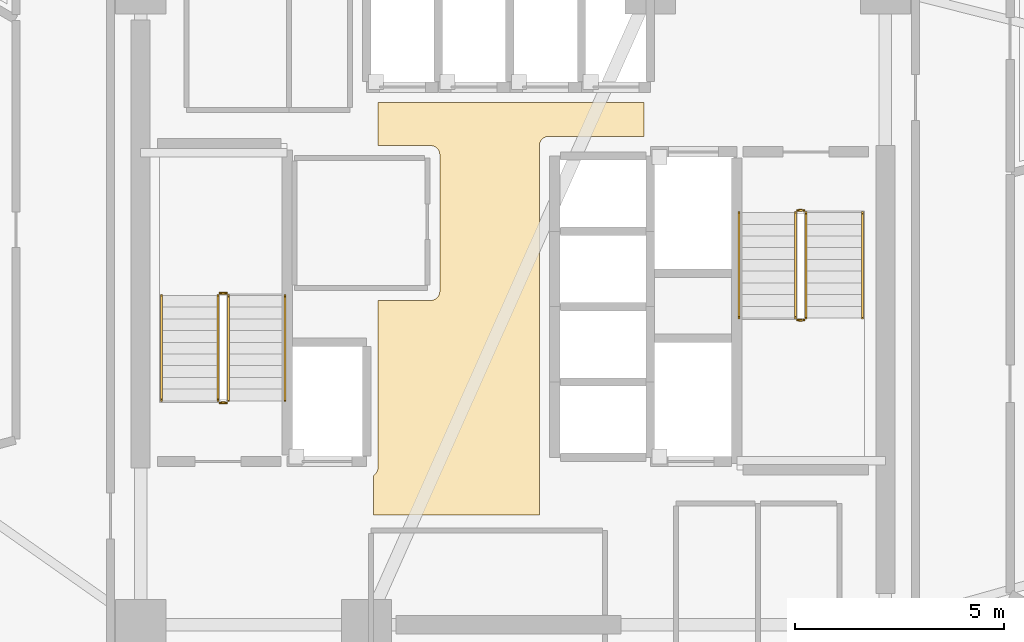
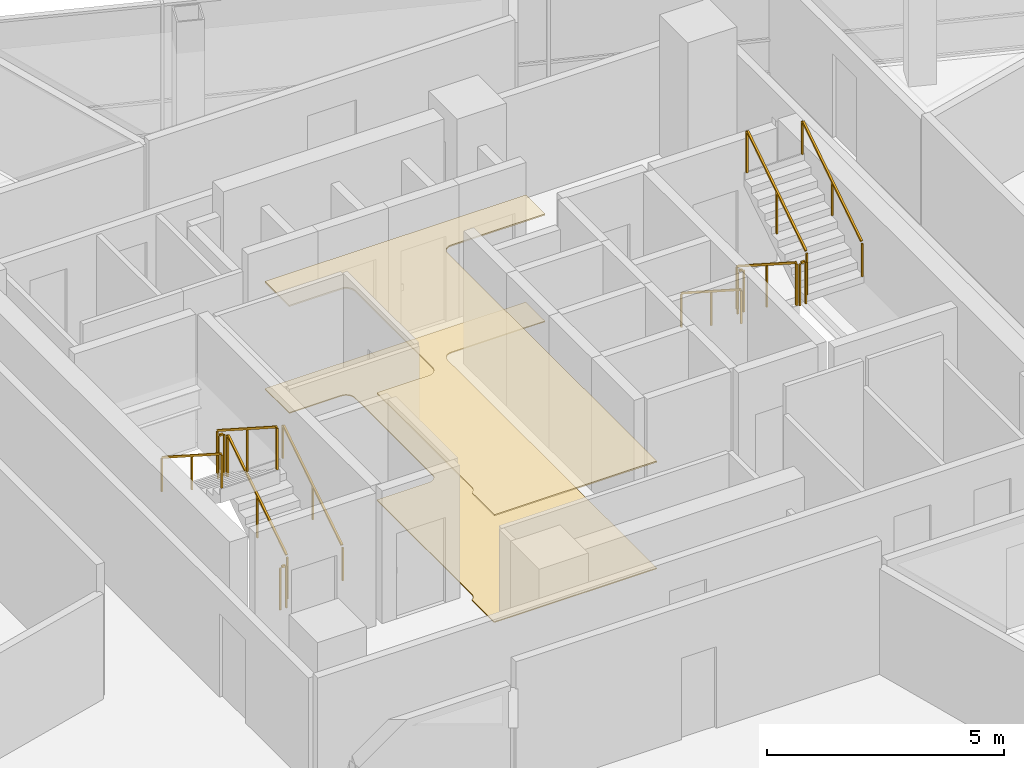
# One storey, part 14 of 15: 12 railings, 2 coverings.
"""IFC4 building model written with IfcOpenShell, lengths in metres."""

import ifcopenshell
import ifcopenshell.guid

model = None  # the IFC model being written
_history = None  # IfcOwnerHistory: only IFC2X3 demands one
_inside = {}  # id of a spatial element -> (the spatial element, [elements in it])
_under = {}  # id of a project, library or spatial element -> (it, [spatial elements below it])
_declared = {}  # id of a project -> (the project, [libraries it declares])
_typed = {}  # id of a type object -> (the type object, [elements of that type])
_made_of = {}  # id of a material, layer set ... -> (it, [elements and type objects made of it])


def new_model(schema):
    """Start an empty IFC model of exactly this schema.

    Asked for "IFC4X3", IfcOpenShell would pick the latest addendum, in which some entities
    have other attributes; the version numbers below select the first issue.
    IFC2X3 requires an IfcOwnerHistory on every rooted entity: one is made here for all.
    """
    global model, _history
    if schema == "IFC4X3":
        model = ifcopenshell.file(schema_version=(4, 3, 0, 0))
    else:
        model = ifcopenshell.file(schema=schema)
    _inside.clear()
    _under.clear()
    _declared.clear()
    _typed.clear()
    _made_of.clear()
    _history = None
    if model.schema == "IFC2X3":
        org = make("IfcOrganization", Name="unknown")
        user = make(
            "IfcPersonAndOrganization",
            ThePerson=make("IfcPerson", FamilyName="unknown"),
            TheOrganization=org,
        )
        app = make(
            "IfcApplication",
            ApplicationDeveloper=org,
            Version="unknown",
            ApplicationFullName="unknown",
            ApplicationIdentifier="unknown",
        )
        _history = make(
            "IfcOwnerHistory",
            OwningUser=user,
            OwningApplication=app,
            ChangeAction="ADDED",
            CreationDate=0,
        )
    return model


def make(cls, **values):
    """One entity of the class cls with the attributes given. An attribute that is None is left unset."""
    return model.create_entity(
        cls, **{name: value for name, value in values.items() if value is not None}
    )


def rooted(cls, **values):
    """An entity with a GlobalId (a new one), such as an element, a storey or a relation."""
    return make(cls, GlobalId=ifcopenshell.guid.new(), OwnerHistory=_history, **values)


def si_unit(unit_type, name, prefix=None):
    """IfcSIUnit, for example si_unit("LENGTHUNIT", "METRE", prefix="MILLI")."""
    return make("IfcSIUnit", UnitType=unit_type, Prefix=prefix, Name=name)


def assignment(units):
    """IfcUnitAssignment: the units of a project."""
    return None if units is None else make("IfcUnitAssignment", Units=units)


def point(xyz):
    """IfcCartesianPoint."""
    return None if xyz is None else make("IfcCartesianPoint", Coordinates=xyz)


def direction(xyz):
    """IfcDirection."""
    return None if xyz is None else make("IfcDirection", DirectionRatios=xyz)


def frame(location, z_axis=None, x_axis=None):
    """IfcAxis2Placement3D, a coordinate frame: its origin and axes. An axis left out is left unset."""
    return make(
        "IfcAxis2Placement3D",
        Location=point(location),
        Axis=direction(z_axis),
        RefDirection=direction(x_axis),
    )


def frame_2d(location, x_axis=None):
    """IfcAxis2Placement2D, a coordinate frame in the plane: its origin and x axis."""
    return make(
        "IfcAxis2Placement2D", Location=point(location), RefDirection=direction(x_axis)
    )


def origin():
    """The frame at (0, 0, 0) with its axes left unset."""
    return frame((0.0, 0.0, 0.0))


def origin_2d():
    """The frame at (0, 0) in the plane with its x axis left unset."""
    return frame_2d((0.0, 0.0))


def place(relative_to, where):
    """IfcLocalPlacement: puts the frame where relative to a parent placement (None: the world)."""
    return make(
        "IfcLocalPlacement", PlacementRelTo=relative_to, RelativePlacement=where
    )


def context(
    kind, dimensions, precision=None, world=None, true_north=None, identifier=None
):
    """IfcGeometricRepresentationContext, for example the 3D "Model" context."""
    return make(
        "IfcGeometricRepresentationContext",
        ContextIdentifier=identifier,
        ContextType=kind,
        CoordinateSpaceDimension=dimensions,
        Precision=precision,
        WorldCoordinateSystem=world,
        TrueNorth=true_north,
    )


def subcontext(parent, identifier, kind, view, scale=None):
    """IfcGeometricRepresentationSubContext, for example "Body" below "Model"."""
    return make(
        "IfcGeometricRepresentationSubContext",
        ContextIdentifier=identifier,
        ContextType=kind,
        ParentContext=parent,
        TargetScale=scale,
        TargetView=view,
    )


def project(units=None, contexts=None):
    """IfcProject with its units and contexts."""
    return rooted(
        "IfcProject",
        Name="project",
        RepresentationContexts=contexts,
        UnitsInContext=assignment(units),
    )


def spatial(cls, under=None, at=None, **own):
    """A site, building, storey or space (cls), placed at a placement, below another one or the project."""
    s = rooted(cls, ObjectPlacement=at, **own)
    if under is not None:
        _under.setdefault(under.id(), (under, []))[1].append(s)
    return s


def polyline(points):
    """IfcPolyline through the points."""
    return make("IfcPolyline", Points=[point(p) for p in points])


def profile(cls, at=None, kind="AREA", **sizes):
    """A parametric profile (cls). Its sizes go by their IFC names, for example OverallWidth=200.0."""
    return make(cls, ProfileType=kind, Position=at, **sizes)


def rectangle(**sizes):
    """IfcRectangleProfileDef."""
    return profile("IfcRectangleProfileDef", **sizes)


def outline(outer, holes=None, kind="AREA"):
    """IfcArbitraryClosedProfileDef: a profile drawn as a closed curve; with holes, ...WithVoids."""
    if holes is None:
        return make("IfcArbitraryClosedProfileDef", ProfileType=kind, OuterCurve=outer)
    return make(
        "IfcArbitraryProfileDefWithVoids",
        ProfileType=kind,
        OuterCurve=outer,
        InnerCurves=holes,
    )


def extrude(swept, where, along, depth):
    """IfcExtrudedAreaSolid: the profile swept, set in the frame where, extruded along a direction by depth."""
    return make(
        "IfcExtrudedAreaSolid",
        SweptArea=swept,
        Position=where,
        ExtrudedDirection=direction(along),
        Depth=depth,
    )


def shape(context_of_items, identifier, shape_type, items):
    """IfcShapeRepresentation: the items that make up one representation, for example the "Body"."""
    return make(
        "IfcShapeRepresentation",
        ContextOfItems=context_of_items,
        RepresentationIdentifier=identifier,
        RepresentationType=shape_type,
        Items=items,
    )


def material(Name=None, Category=None):
    """IfcMaterial."""
    return make("IfcMaterial", Name=Name, Category=Category)


def layer(
    of_material, thickness, ventilated=None, Name=None, Category=None, Priority=None
):
    """IfcMaterialLayer: one layer of a wall or slab, of a material (None: an air gap)."""
    return make(
        "IfcMaterialLayer",
        Material=of_material,
        LayerThickness=thickness,
        IsVentilated=ventilated,
        Name=Name,
        Category=Category,
        Priority=Priority,
    )


def layer_set(layers, Name=None):
    """IfcMaterialLayerSet."""
    return make("IfcMaterialLayerSet", MaterialLayers=layers, LayerSetName=Name)


def made_of(thing, what):
    """Note that an element or type object is made of a material, layer set ...; save() writes the relation."""
    if what is not None:
        _made_of.setdefault(what.id(), (what, []))[1].append(thing)
    return thing


def type_object(cls, material=None, **own):
    """A type object (cls), such as IfcWallType, which elements share."""
    return made_of(rooted(cls, **own), material)


def element(
    cls,
    number,
    at=None,
    inside=None,
    cuts=None,
    type_object=None,
    material=None,
    context=None,
    identifier="Body",
    shape_type=None,
    held_by="IfcProductDefinitionShape",
    body=None,
    shapes=None,
    **own,
):
    """One element of the class cls, such as IfcWall. Its Tag is "e" and its number.

    at: its placement. inside: the storey or other place that contains it. cuts: it is an
    opening in that element (IfcRelVoidsElement). A single representation is given by context,
    identifier, shape_type and body (its items); several are given by shapes. held_by: the class
    of the entity that holds the representations. save() writes the other relations.
    """
    e = rooted(cls, Tag="e%d" % number, ObjectPlacement=at, **own)
    if body is not None:
        shapes = [shape(context, identifier, shape_type, body)]
    if shapes is not None:
        e.Representation = make(held_by, Representations=shapes)
    if inside is not None:
        _inside.setdefault(inside.id(), (inside, []))[1].append(e)
    if cuts is not None:
        rooted(
            "IfcRelVoidsElement", RelatingBuildingElement=cuts, RelatedOpeningElement=e
        )
    if type_object is not None:
        _typed.setdefault(type_object.id(), (type_object, []))[1].append(e)
    return made_of(e, material)


def aggregate(whole, parts):
    """IfcRelAggregates: a whole, such as a stair, and the parts it consists of."""
    return rooted("IfcRelAggregates", RelatingObject=whole, RelatedObjects=parts)


def save(model, path):
    """Write the relations noted so far, then the file.

    IfcRelAggregates (storeys below a building ...), IfcRelContainedInSpatialStructure (elements
    in a storey), IfcRelDefinesByType, IfcRelAssociatesMaterial and IfcRelDeclares: one each for
    every whole, place, type object, material and project.
    """
    for whole, parts in _under.values():
        aggregate(whole, parts)
    for where, things in _inside.values():
        rooted(
            "IfcRelContainedInSpatialStructure",
            RelatedElements=things,
            RelatingStructure=where,
        )
    for kind, things in _typed.values():
        rooted("IfcRelDefinesByType", RelatedObjects=things, RelatingType=kind)
    for what, things in _made_of.values():
        rooted("IfcRelAssociatesMaterial", RelatedObjects=things, RelatingMaterial=what)
    for by, libraries in _declared.values():
        rooted("IfcRelDeclares", RelatingContext=by, RelatedDefinitions=libraries)
    model.write(path)


model = new_model("IFC4")

# Units and contexts
model_context = context("Model", 3, precision=1e-05, world=origin(), true_north=direction((0.0, 1.0)))
body_context = subcontext(model_context, "Body", "Model", "MODEL_VIEW")
ifc_project = project(units=[si_unit("LENGTHUNIT", "METRE"), si_unit("AREAUNIT", "SQUARE_METRE"), si_unit("VOLUMEUNIT", "CUBIC_METRE"), si_unit("PLANEANGLEUNIT", "RADIAN"), si_unit("MASSUNIT", "GRAM", prefix="KILO")], contexts=[model_context])

# Site, building, storey
site_placement = place(None, origin())
site = spatial("IfcSite", under=ifc_project, at=site_placement, CompositionType="ELEMENT")
building_placement = place(site_placement, origin())
building = spatial("IfcBuilding", under=site, at=building_placement, Name="Tharavind Bronze Gate", CompositionType="ELEMENT")
storey_placement = place(building_placement, frame((0.0, 0.0, 177.699951171875)))
storey = spatial("IfcBuildingStorey", under=building, at=storey_placement, Name="L45", CompositionType="ELEMENT", Elevation=177.699951171875)

# Coverings
ifc_material_1 = material(Name="Perforated Bronze Acoustic Panel", Category="bronze")
ifc_layer_1 = layer(ifc_material_1, 0.044921875)
ifc_layer_set_1 = layer_set([ifc_layer_1], Name="Perforated Bronze Acoustic Panel")
covering_type_1 = type_object("IfcCoveringType", Name="ACOUSTIC BRONZE BAFFLE CEILING", PredefinedType="CEILING", material=ifc_layer_set_1)
covering_1_placement = place(storey_placement, frame((0.0, 0.0, 2.75)))
element("IfcCovering", 1, at=covering_1_placement, inside=storey, type_object=covering_type_1, Name="L45-C-LL suspended ceiling", PredefinedType="CEILING", context=body_context, shape_type="SweptSolid", body=[
    extrude(outline(polyline([(-3.330078125, -4.97998046875), (0.6298828125, -4.97998046875), (0.6298828125, 3.85009765625), (0.631103515625, 3.87158203125), (0.63427734375, 3.892822265625), (0.639404296875, 3.913818359375), (0.646728515625, 3.93408203125), (0.656005859375, 3.95361328125), (0.6669921875, 3.97216796875), (0.679931640625, 3.989501953125), (0.6943359375, 4.005615234375), (0.71044921875, 4.02001953125), (0.727783203125, 4.032958984375), (0.746337890625, 4.0439453125), (0.765869140625, 4.05322265625), (0.7861328125, 4.060546875), (0.80712890625, 4.06591796875), (0.828369140625, 4.06884765625), (0.85009765625, 4.070068359375), (3.1298828125, 4.070068359375), (3.1298828125, 4.8798828125), (-3.22998046875, 4.8798828125), (-3.22998046875, 3.85009765625), (-1.969970703125, 3.85009765625), (-1.948486328125, 3.848876953125), (-1.927001953125, 3.845703125), (-1.906005859375, 3.840576171875), (-1.8857421875, 3.833251953125), (-1.8662109375, 3.823974609375), (-1.847900390625, 3.81298828125), (-1.830322265625, 3.800048828125), (-1.814453125, 3.78564453125), (-1.7998046875, 3.76953125), (-1.787109375, 3.752197265625), (-1.77587890625, 3.733642578125), (-1.7666015625, 3.714111328125), (-1.759521484375, 3.69384765625), (-1.754150390625, 3.6728515625), (-1.751220703125, 3.651611328125), (-1.75, 3.6298828125), (-1.75, 0.3701171875), (-1.751220703125, 0.348388671875), (-1.754150390625, 0.3271484375), (-1.759521484375, 0.30615234375), (-1.7666015625, 0.285888671875), (-1.77587890625, 0.266357421875), (-1.787109375, 0.247802734375), (-1.7998046875, 0.23046875), (-1.814453125, 0.21435546875), (-1.830322265625, 0.199951171875), (-1.847900390625, 0.18701171875), (-1.8662109375, 0.176025390625), (-1.8857421875, 0.166748046875), (-1.906005859375, 0.159423828125), (-1.927001953125, 0.154296875), (-1.948486328125, 0.151123046875), (-1.969970703125, 0.14990234375), (-3.22998046875, 0.14990234375), (-3.22998046875, -3.85009765625), (-3.231201171875, -3.87158203125), (-3.234130859375, -3.892822265625), (-3.239501953125, -3.913818359375), (-3.24658203125, -3.93408203125), (-3.256103515625, -3.95361328125), (-3.26708984375, -3.97216796875), (-3.27978515625, -3.989501953125), (-3.29443359375, -4.005615234375), (-3.310302734375, -4.02001953125), (-3.327880859375, -4.032958984375), (-3.330078125, -4.0341796875), (-3.330078125, -4.97998046875)])), origin(), (0.0, 0.0, 1.0), 0.03515625),
])
ifc_material_2 = material(Name="Honed Travertine Limestone", Category="masonry")
ifc_layer_2 = layer(ifc_material_2, 0.030029296875)
ifc_layer_set_2 = layer_set([ifc_layer_2], Name="Honed Travertine Limestone")
covering_type_2 = type_object("IfcCoveringType", Name="HONED LIMESTONE FLOORING", PredefinedType="FLOORING", material=ifc_layer_set_2)
covering_2_placement = place(storey_placement, origin())
element("IfcCovering", 2, at=covering_2_placement, inside=storey, type_object=covering_type_2, Name="L45-C-LL floor finish", PredefinedType="FLOORING", context=body_context, shape_type="SweptSolid", body=[
    extrude(outline(polyline([(-3.330078125, -4.97998046875), (0.6298828125, -4.97998046875), (0.6298828125, 3.85009765625), (0.631103515625, 3.87158203125), (0.63427734375, 3.892822265625), (0.639404296875, 3.913818359375), (0.646728515625, 3.93408203125), (0.656005859375, 3.95361328125), (0.6669921875, 3.97216796875), (0.679931640625, 3.989501953125), (0.6943359375, 4.005615234375), (0.71044921875, 4.02001953125), (0.727783203125, 4.032958984375), (0.746337890625, 4.0439453125), (0.765869140625, 4.05322265625), (0.7861328125, 4.060546875), (0.80712890625, 4.06591796875), (0.828369140625, 4.06884765625), (0.85009765625, 4.070068359375), (3.1298828125, 4.070068359375), (3.1298828125, 4.8798828125), (-3.22998046875, 4.8798828125), (-3.22998046875, 3.85009765625), (-1.969970703125, 3.85009765625), (-1.948486328125, 3.848876953125), (-1.927001953125, 3.845703125), (-1.906005859375, 3.840576171875), (-1.8857421875, 3.833251953125), (-1.8662109375, 3.823974609375), (-1.847900390625, 3.81298828125), (-1.830322265625, 3.800048828125), (-1.814453125, 3.78564453125), (-1.7998046875, 3.76953125), (-1.787109375, 3.752197265625), (-1.77587890625, 3.733642578125), (-1.7666015625, 3.714111328125), (-1.759521484375, 3.69384765625), (-1.754150390625, 3.6728515625), (-1.751220703125, 3.651611328125), (-1.75, 3.6298828125), (-1.75, 0.3701171875), (-1.751220703125, 0.348388671875), (-1.754150390625, 0.3271484375), (-1.759521484375, 0.30615234375), (-1.7666015625, 0.285888671875), (-1.77587890625, 0.266357421875), (-1.787109375, 0.247802734375), (-1.7998046875, 0.23046875), (-1.814453125, 0.21435546875), (-1.830322265625, 0.199951171875), (-1.847900390625, 0.18701171875), (-1.8662109375, 0.176025390625), (-1.8857421875, 0.166748046875), (-1.906005859375, 0.159423828125), (-1.927001953125, 0.154296875), (-1.948486328125, 0.151123046875), (-1.969970703125, 0.14990234375), (-3.22998046875, 0.14990234375), (-3.22998046875, -3.85009765625), (-3.231201171875, -3.87158203125), (-3.234130859375, -3.892822265625), (-3.239501953125, -3.913818359375), (-3.24658203125, -3.93408203125), (-3.256103515625, -3.95361328125), (-3.26708984375, -3.97216796875), (-3.27978515625, -3.989501953125), (-3.29443359375, -4.005615234375), (-3.310302734375, -4.02001953125), (-3.327880859375, -4.032958984375), (-3.330078125, -4.0341796875), (-3.330078125, -4.97998046875)])), origin(), (0.0, 0.0, 1.0), 0.025146484375),
])

# Railings
ifc_material_3 = material(Name="Brushed Bronze Alloy", Category="metal")
railing_type_1 = type_object("IfcRailingType", Name="STAIR BRONZE HANDRAIL 900", PredefinedType="HANDRAIL", material=ifc_material_3)
railing_1_placement = place(storey_placement, frame((-5.449951171875, -2.25, 0.179931640625)))
element("IfcRailing", 3, at=railing_1_placement, inside=storey, type_object=railing_type_1, Name="L45 ST1 stair handrail 1", PredefinedType="HANDRAIL", context=body_context, shape_type="SweptSolid", body=[
    extrude(rectangle(XDim=0.048095703125, YDim=0.048095703125, at=origin_2d()), frame((0.0, 0.02685546875, 0.89306640625), z_axis=(0.0, 0.841162588446, 0.540782303519), x_axis=(-1.0, 0.0, 0.0)), (0.0, 0.0, 1.0), 2.931884765625),
    extrude(rectangle(XDim=0.0400390625, YDim=0.0400390625, at=origin_2d()), origin(), (0.0, 0.0, 1.0), 0.847900390625),
    extrude(rectangle(XDim=0.0400390625, YDim=0.0400390625, at=origin_2d()), frame((0.0, 1.260009765625, 0.81005859375)), (0.0, 0.0, 1.0), 0.847900390625),
    extrude(rectangle(XDim=0.0400390625, YDim=0.0400390625, at=origin_2d()), frame((0.0, 2.52001953125, 1.6201171875)), (0.0, 0.0, 1.0), 0.847900390625),
])
for number, where, name in (
    (4, (-8.39990234375, 0.27001953125, 1.97998046875), "L45 ST1 stair handrail 2"),
    (5, (5.39990234375, 2.25, 0.179931640625), "L45 ST2 stair handrail 1"),
):
    element("IfcRailing", number, at=place(storey_placement, frame(where)), inside=storey, type_object=railing_type_1, Name=name, PredefinedType="HANDRAIL", context=body_context, shape_type="SweptSolid", body=[
        extrude(rectangle(XDim=0.048095703125, YDim=0.048095703125, at=origin_2d()), frame((0.0, -0.02685546875, 0.89306640625), z_axis=(0.0, -0.841162588446, 0.540782303519), x_axis=(1.0, 0.0, 0.0)), (0.0, 0.0, 1.0), 2.931884765625),
        extrude(rectangle(XDim=0.0400390625, YDim=0.0400390625, at=origin_2d()), origin(), (0.0, 0.0, 1.0), 0.847900390625),
        extrude(rectangle(XDim=0.0400390625, YDim=0.0400390625, at=origin_2d()), frame((0.0, -1.260009765625, 0.81005859375)), (0.0, 0.0, 1.0), 0.847900390625),
        extrude(rectangle(XDim=0.0400390625, YDim=0.0400390625, at=origin_2d()), frame((0.0, -2.52001953125, 1.6201171875)), (0.0, 0.0, 1.0), 0.847900390625),
    ])
railing_2_placement = place(storey_placement, frame((8.35009765625, -0.27001953125, 1.97998046875)))
element("IfcRailing", 6, at=railing_2_placement, inside=storey, type_object=railing_type_1, Name="L45 ST2 stair handrail 2", PredefinedType="HANDRAIL", context=body_context, shape_type="SweptSolid", body=[
    extrude(rectangle(XDim=0.048095703125, YDim=0.048095703125, at=origin_2d()), frame((0.0, 0.02685546875, 0.89306640625), z_axis=(0.0, 0.841162588446, 0.540782303519), x_axis=(-1.0, 0.0, 0.0)), (0.0, 0.0, 1.0), 2.931884765625),
    extrude(rectangle(XDim=0.0400390625, YDim=0.0400390625, at=origin_2d()), origin(), (0.0, 0.0, 1.0), 0.847900390625),
    extrude(rectangle(XDim=0.0400390625, YDim=0.0400390625, at=origin_2d()), frame((0.0, 1.260009765625, 0.81005859375)), (0.0, 0.0, 1.0), 0.847900390625),
    extrude(rectangle(XDim=0.0400390625, YDim=0.0400390625, at=origin_2d()), frame((0.0, 2.52001953125, 1.6201171875)), (0.0, 0.0, 1.0), 0.847900390625),
])
railing_type_2 = type_object("IfcRailingType", Name="STAIR WELL GUARD RAILING 1120", PredefinedType="GUARDRAIL", material=ifc_material_3)
railing_3_placement = place(storey_placement, frame((-6.800048828125, -2.25, 0.179931640625)))
element("IfcRailing", 7, at=railing_3_placement, inside=storey, type_object=railing_type_2, Name="L45 ST1 stair guard 1", PredefinedType="GUARDRAIL", context=body_context, shape_type="SweptSolid", body=[
    extrude(rectangle(XDim=0.048095703125, YDim=0.048095703125, at=origin_2d()), frame((0.0, 0.02685546875, 1.11328125), z_axis=(0.0, 0.841162588446, 0.540782303519), x_axis=(-1.0, 0.0, 0.0)), (0.0, 0.0, 1.0), 2.931884765625),
    extrude(rectangle(XDim=0.0400390625, YDim=0.0400390625, at=origin_2d()), origin(), (0.0, 0.0, 1.0), 1.068115234375),
    extrude(rectangle(XDim=0.0400390625, YDim=0.0400390625, at=origin_2d()), frame((0.0, 1.260009765625, 0.81005859375)), (0.0, 0.0, 1.0), 1.068115234375),
    extrude(rectangle(XDim=0.0400390625, YDim=0.0400390625, at=origin_2d()), frame((0.0, 2.52001953125, 1.6201171875)), (0.0, 0.0, 1.0), 1.068115234375),
])
railing_4_placement = place(storey_placement, frame((-6.85009765625, 0.320068359375, 1.800048828125)))
element("IfcRailing", 8, at=railing_4_placement, inside=storey, type_object=railing_type_2, Name="L45 ST1 stair guard 2", PredefinedType="GUARDRAIL", context=body_context, shape_type="SweptSolid", body=[
    extrude(rectangle(XDim=0.048095703125, YDim=0.048095703125, at=origin_2d()), frame((-0.031982421875, 0.0, 1.09619140625), z_axis=(-1.0, 0.0, 0.0), x_axis=(0.0, -1.0, 0.0)), (0.0, 0.0, 1.0), 0.0859375),
    extrude(rectangle(XDim=0.0400390625, YDim=0.0400390625, at=origin_2d()), origin(), (0.0, 0.0, 1.0), 1.068115234375),
    extrude(rectangle(XDim=0.0400390625, YDim=0.0400390625, at=origin_2d()), frame((-0.14990234375, 0.0, 0.0)), (0.0, 0.0, 1.0), 1.068115234375),
])
railing_5_placement = place(storey_placement, frame((-7.050048828125, 0.27001953125, 1.97998046875)))
element("IfcRailing", 9, at=railing_5_placement, inside=storey, type_object=railing_type_2, Name="L45 ST1 stair guard 3", PredefinedType="GUARDRAIL", context=body_context, shape_type="SweptSolid", body=[
    extrude(rectangle(XDim=0.048095703125, YDim=0.048095703125, at=origin_2d()), frame((0.0, -0.02685546875, 1.11328125), z_axis=(0.0, -0.841162588446, 0.540782303519), x_axis=(1.0, 0.0, 0.0)), (0.0, 0.0, 1.0), 2.931884765625),
    extrude(rectangle(XDim=0.0400390625, YDim=0.0400390625, at=origin_2d()), origin(), (0.0, 0.0, 1.0), 1.068115234375),
    extrude(rectangle(XDim=0.0400390625, YDim=0.0400390625, at=origin_2d()), frame((0.0, -1.260009765625, 0.81005859375)), (0.0, 0.0, 1.0), 1.068115234375),
    extrude(rectangle(XDim=0.0400390625, YDim=0.0400390625, at=origin_2d()), frame((0.0, -2.52001953125, 1.6201171875)), (0.0, 0.0, 1.0), 1.068115234375),
])
railing_6_placement = place(storey_placement, frame((-6.85009765625, -2.300048828125, 0.0)))
element("IfcRailing", 10, at=railing_6_placement, inside=storey, type_object=railing_type_2, Name="L45 ST1 stair guard 4", PredefinedType="GUARDRAIL", context=body_context, shape_type="SweptSolid", body=[
    extrude(rectangle(XDim=0.048095703125, YDim=0.048095703125, at=origin_2d()), frame((-0.031982421875, 0.0, 1.09619140625), z_axis=(-1.0, 0.0, 0.0), x_axis=(0.0, -1.0, 0.0)), (0.0, 0.0, 1.0), 0.0859375),
    extrude(rectangle(XDim=0.0400390625, YDim=0.0400390625, at=origin_2d()), origin(), (0.0, 0.0, 1.0), 1.068115234375),
    extrude(rectangle(XDim=0.0400390625, YDim=0.0400390625, at=origin_2d()), frame((-0.14990234375, 0.0, 0.0)), (0.0, 0.0, 1.0), 1.068115234375),
])
railing_7_placement = place(storey_placement, frame((6.75, 2.25, 0.179931640625)))
element("IfcRailing", 11, at=railing_7_placement, inside=storey, type_object=railing_type_2, Name="L45 ST2 stair guard 1", PredefinedType="GUARDRAIL", context=body_context, shape_type="SweptSolid", body=[
    extrude(rectangle(XDim=0.048095703125, YDim=0.048095703125, at=origin_2d()), frame((0.0, -0.02685546875, 1.11328125), z_axis=(0.0, -0.841162588446, 0.540782303519), x_axis=(1.0, 0.0, 0.0)), (0.0, 0.0, 1.0), 2.931884765625),
    extrude(rectangle(XDim=0.0400390625, YDim=0.0400390625, at=origin_2d()), origin(), (0.0, 0.0, 1.0), 1.068115234375),
    extrude(rectangle(XDim=0.0400390625, YDim=0.0400390625, at=origin_2d()), frame((0.0, -1.260009765625, 0.81005859375)), (0.0, 0.0, 1.0), 1.068115234375),
    extrude(rectangle(XDim=0.0400390625, YDim=0.0400390625, at=origin_2d()), frame((0.0, -2.52001953125, 1.6201171875)), (0.0, 0.0, 1.0), 1.068115234375),
])
railing_8_placement = place(storey_placement, frame((6.800048828125, -0.320068359375, 1.800048828125)))
element("IfcRailing", 12, at=railing_8_placement, inside=storey, type_object=railing_type_2, Name="L45 ST2 stair guard 2", PredefinedType="GUARDRAIL", context=body_context, shape_type="SweptSolid", body=[
    extrude(rectangle(XDim=0.048095703125, YDim=0.048095703125, at=origin_2d()), frame((0.031982421875, 0.0, 1.09619140625), z_axis=(1.0, 0.0, 0.0), x_axis=(0.0, 1.0, 0.0)), (0.0, 0.0, 1.0), 0.0859375),
    extrude(rectangle(XDim=0.0400390625, YDim=0.0400390625, at=origin_2d()), origin(), (0.0, 0.0, 1.0), 1.068115234375),
    extrude(rectangle(XDim=0.0400390625, YDim=0.0400390625, at=origin_2d()), frame((0.14990234375, 0.0, 0.0)), (0.0, 0.0, 1.0), 1.068115234375),
])
railing_9_placement = place(storey_placement, frame((7.0, -0.27001953125, 1.97998046875)))
element("IfcRailing", 13, at=railing_9_placement, inside=storey, type_object=railing_type_2, Name="L45 ST2 stair guard 3", PredefinedType="GUARDRAIL", context=body_context, shape_type="SweptSolid", body=[
    extrude(rectangle(XDim=0.048095703125, YDim=0.048095703125, at=origin_2d()), frame((0.0, 0.02685546875, 1.11328125), z_axis=(0.0, 0.841162588446, 0.540782303519), x_axis=(-1.0, 0.0, 0.0)), (0.0, 0.0, 1.0), 2.931884765625),
    extrude(rectangle(XDim=0.0400390625, YDim=0.0400390625, at=origin_2d()), origin(), (0.0, 0.0, 1.0), 1.068115234375),
    extrude(rectangle(XDim=0.0400390625, YDim=0.0400390625, at=origin_2d()), frame((0.0, 1.260009765625, 0.81005859375)), (0.0, 0.0, 1.0), 1.068115234375),
    extrude(rectangle(XDim=0.0400390625, YDim=0.0400390625, at=origin_2d()), frame((0.0, 2.52001953125, 1.6201171875)), (0.0, 0.0, 1.0), 1.068115234375),
])
railing_10_placement = place(storey_placement, frame((6.800048828125, 2.300048828125, 0.0)))
element("IfcRailing", 14, at=railing_10_placement, inside=storey, type_object=railing_type_2, Name="L45 ST2 stair guard 4", PredefinedType="GUARDRAIL", context=body_context, shape_type="SweptSolid", body=[
    extrude(rectangle(XDim=0.048095703125, YDim=0.048095703125, at=origin_2d()), frame((0.031982421875, 0.0, 1.09619140625), z_axis=(1.0, 0.0, 0.0), x_axis=(0.0, 1.0, 0.0)), (0.0, 0.0, 1.0), 0.0859375),
    extrude(rectangle(XDim=0.0400390625, YDim=0.0400390625, at=origin_2d()), origin(), (0.0, 0.0, 1.0), 1.068115234375),
    extrude(rectangle(XDim=0.0400390625, YDim=0.0400390625, at=origin_2d()), frame((0.14990234375, 0.0, 0.0)), (0.0, 0.0, 1.0), 1.068115234375),
])

save(model, "model.ifc")
